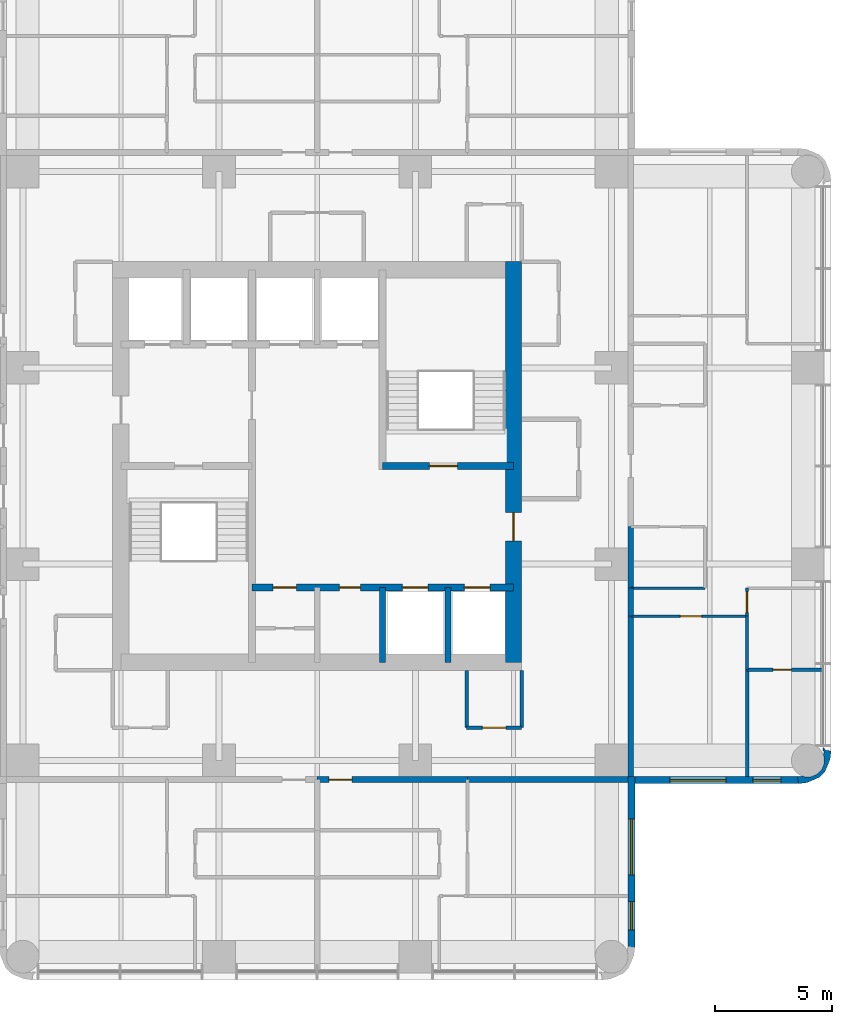
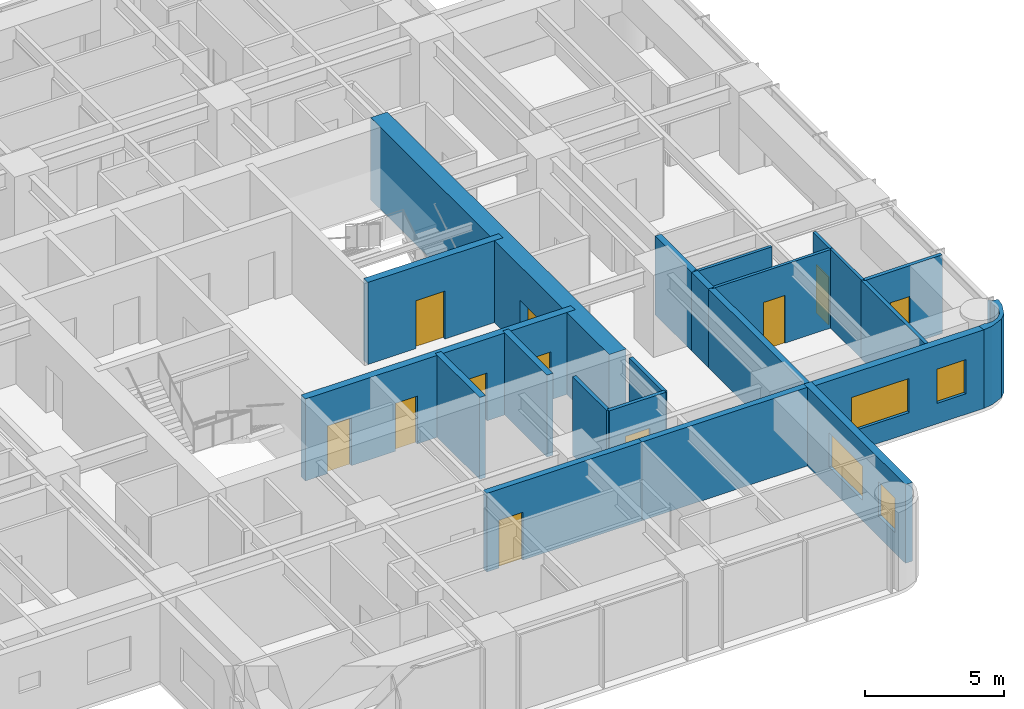
# One storey, part 7 of 11: 22 walls, 11 doors, 4 windows, 15 openings.
"""IFC4 building model written with IfcOpenShell, lengths in metres."""

import ifcopenshell
import ifcopenshell.guid

model = None  # the IFC model being written
_history = None  # IfcOwnerHistory: only IFC2X3 demands one
_inside = {}  # id of a spatial element -> (the spatial element, [elements in it])
_under = {}  # id of a project, library or spatial element -> (it, [spatial elements below it])
_declared = {}  # id of a project -> (the project, [libraries it declares])
_typed = {}  # id of a type object -> (the type object, [elements of that type])
_made_of = {}  # id of a material, layer set ... -> (it, [elements and type objects made of it])


def new_model(schema):
    """Start an empty IFC model of exactly this schema.

    Asked for "IFC4X3", IfcOpenShell would pick the latest addendum, in which some entities
    have other attributes; the version numbers below select the first issue.
    IFC2X3 requires an IfcOwnerHistory on every rooted entity: one is made here for all.
    """
    global model, _history
    if schema == "IFC4X3":
        model = ifcopenshell.file(schema_version=(4, 3, 0, 0))
    else:
        model = ifcopenshell.file(schema=schema)
    _inside.clear()
    _under.clear()
    _declared.clear()
    _typed.clear()
    _made_of.clear()
    _history = None
    if model.schema == "IFC2X3":
        org = make("IfcOrganization", Name="unknown")
        user = make(
            "IfcPersonAndOrganization",
            ThePerson=make("IfcPerson", FamilyName="unknown"),
            TheOrganization=org,
        )
        app = make(
            "IfcApplication",
            ApplicationDeveloper=org,
            Version="unknown",
            ApplicationFullName="unknown",
            ApplicationIdentifier="unknown",
        )
        _history = make(
            "IfcOwnerHistory",
            OwningUser=user,
            OwningApplication=app,
            ChangeAction="ADDED",
            CreationDate=0,
        )
    return model


def make(cls, **values):
    """One entity of the class cls with the attributes given. An attribute that is None is left unset."""
    return model.create_entity(
        cls, **{name: value for name, value in values.items() if value is not None}
    )


def rooted(cls, **values):
    """An entity with a GlobalId (a new one), such as an element, a storey or a relation."""
    return make(cls, GlobalId=ifcopenshell.guid.new(), OwnerHistory=_history, **values)


def si_unit(unit_type, name, prefix=None):
    """IfcSIUnit, for example si_unit("LENGTHUNIT", "METRE", prefix="MILLI")."""
    return make("IfcSIUnit", UnitType=unit_type, Prefix=prefix, Name=name)


def assignment(units):
    """IfcUnitAssignment: the units of a project."""
    return None if units is None else make("IfcUnitAssignment", Units=units)


def point(xyz):
    """IfcCartesianPoint."""
    return None if xyz is None else make("IfcCartesianPoint", Coordinates=xyz)


def direction(xyz):
    """IfcDirection."""
    return None if xyz is None else make("IfcDirection", DirectionRatios=xyz)


def frame(location, z_axis=None, x_axis=None):
    """IfcAxis2Placement3D, a coordinate frame: its origin and axes. An axis left out is left unset."""
    return make(
        "IfcAxis2Placement3D",
        Location=point(location),
        Axis=direction(z_axis),
        RefDirection=direction(x_axis),
    )


def frame_2d(location, x_axis=None):
    """IfcAxis2Placement2D, a coordinate frame in the plane: its origin and x axis."""
    return make(
        "IfcAxis2Placement2D", Location=point(location), RefDirection=direction(x_axis)
    )


def origin():
    """The frame at (0, 0, 0) with its axes left unset."""
    return frame((0.0, 0.0, 0.0))


def place(relative_to, where):
    """IfcLocalPlacement: puts the frame where relative to a parent placement (None: the world)."""
    return make(
        "IfcLocalPlacement", PlacementRelTo=relative_to, RelativePlacement=where
    )


def context(
    kind, dimensions, precision=None, world=None, true_north=None, identifier=None
):
    """IfcGeometricRepresentationContext, for example the 3D "Model" context."""
    return make(
        "IfcGeometricRepresentationContext",
        ContextIdentifier=identifier,
        ContextType=kind,
        CoordinateSpaceDimension=dimensions,
        Precision=precision,
        WorldCoordinateSystem=world,
        TrueNorth=true_north,
    )


def subcontext(parent, identifier, kind, view, scale=None):
    """IfcGeometricRepresentationSubContext, for example "Body" below "Model"."""
    return make(
        "IfcGeometricRepresentationSubContext",
        ContextIdentifier=identifier,
        ContextType=kind,
        ParentContext=parent,
        TargetScale=scale,
        TargetView=view,
    )


def project(units=None, contexts=None):
    """IfcProject with its units and contexts."""
    return rooted(
        "IfcProject",
        Name="project",
        RepresentationContexts=contexts,
        UnitsInContext=assignment(units),
    )


def spatial(cls, under=None, at=None, **own):
    """A site, building, storey or space (cls), placed at a placement, below another one or the project."""
    s = rooted(cls, ObjectPlacement=at, **own)
    if under is not None:
        _under.setdefault(under.id(), (under, []))[1].append(s)
    return s


def polyline(points):
    """IfcPolyline through the points."""
    return make("IfcPolyline", Points=[point(p) for p in points])


def profile(cls, at=None, kind="AREA", **sizes):
    """A parametric profile (cls). Its sizes go by their IFC names, for example OverallWidth=200.0."""
    return make(cls, ProfileType=kind, Position=at, **sizes)


def rectangle(**sizes):
    """IfcRectangleProfileDef."""
    return profile("IfcRectangleProfileDef", **sizes)


def outline(outer, holes=None, kind="AREA"):
    """IfcArbitraryClosedProfileDef: a profile drawn as a closed curve; with holes, ...WithVoids."""
    if holes is None:
        return make("IfcArbitraryClosedProfileDef", ProfileType=kind, OuterCurve=outer)
    return make(
        "IfcArbitraryProfileDefWithVoids",
        ProfileType=kind,
        OuterCurve=outer,
        InnerCurves=holes,
    )


def extrude(swept, where, along, depth):
    """IfcExtrudedAreaSolid: the profile swept, set in the frame where, extruded along a direction by depth."""
    return make(
        "IfcExtrudedAreaSolid",
        SweptArea=swept,
        Position=where,
        ExtrudedDirection=direction(along),
        Depth=depth,
    )


def shape(context_of_items, identifier, shape_type, items):
    """IfcShapeRepresentation: the items that make up one representation, for example the "Body"."""
    return make(
        "IfcShapeRepresentation",
        ContextOfItems=context_of_items,
        RepresentationIdentifier=identifier,
        RepresentationType=shape_type,
        Items=items,
    )


def material(Name=None, Category=None):
    """IfcMaterial."""
    return make("IfcMaterial", Name=Name, Category=Category)


def layer(
    of_material, thickness, ventilated=None, Name=None, Category=None, Priority=None
):
    """IfcMaterialLayer: one layer of a wall or slab, of a material (None: an air gap)."""
    return make(
        "IfcMaterialLayer",
        Material=of_material,
        LayerThickness=thickness,
        IsVentilated=ventilated,
        Name=Name,
        Category=Category,
        Priority=Priority,
    )


def layer_set(layers, Name=None):
    """IfcMaterialLayerSet."""
    return make("IfcMaterialLayerSet", MaterialLayers=layers, LayerSetName=Name)


def made_of(thing, what):
    """Note that an element or type object is made of a material, layer set ...; save() writes the relation."""
    if what is not None:
        _made_of.setdefault(what.id(), (what, []))[1].append(thing)
    return thing


def type_object(cls, material=None, **own):
    """A type object (cls), such as IfcWallType, which elements share."""
    return made_of(rooted(cls, **own), material)


def element(
    cls,
    number,
    at=None,
    inside=None,
    cuts=None,
    type_object=None,
    material=None,
    context=None,
    identifier="Body",
    shape_type=None,
    held_by="IfcProductDefinitionShape",
    body=None,
    shapes=None,
    **own,
):
    """One element of the class cls, such as IfcWall. Its Tag is "e" and its number.

    at: its placement. inside: the storey or other place that contains it. cuts: it is an
    opening in that element (IfcRelVoidsElement). A single representation is given by context,
    identifier, shape_type and body (its items); several are given by shapes. held_by: the class
    of the entity that holds the representations. save() writes the other relations.
    """
    e = rooted(cls, Tag="e%d" % number, ObjectPlacement=at, **own)
    if body is not None:
        shapes = [shape(context, identifier, shape_type, body)]
    if shapes is not None:
        e.Representation = make(held_by, Representations=shapes)
    if inside is not None:
        _inside.setdefault(inside.id(), (inside, []))[1].append(e)
    if cuts is not None:
        rooted(
            "IfcRelVoidsElement", RelatingBuildingElement=cuts, RelatedOpeningElement=e
        )
    if type_object is not None:
        _typed.setdefault(type_object.id(), (type_object, []))[1].append(e)
    return made_of(e, material)


def fill(opening, filler):
    """IfcRelFillsElement: the door or window that sits in an opening."""
    return rooted(
        "IfcRelFillsElement",
        RelatingOpeningElement=opening,
        RelatedBuildingElement=filler,
    )


def aggregate(whole, parts):
    """IfcRelAggregates: a whole, such as a stair, and the parts it consists of."""
    return rooted("IfcRelAggregates", RelatingObject=whole, RelatedObjects=parts)


def save(model, path):
    """Write the relations noted so far, then the file.

    IfcRelAggregates (storeys below a building ...), IfcRelContainedInSpatialStructure (elements
    in a storey), IfcRelDefinesByType, IfcRelAssociatesMaterial and IfcRelDeclares: one each for
    every whole, place, type object, material and project.
    """
    for whole, parts in _under.values():
        aggregate(whole, parts)
    for where, things in _inside.values():
        rooted(
            "IfcRelContainedInSpatialStructure",
            RelatedElements=things,
            RelatingStructure=where,
        )
    for kind, things in _typed.values():
        rooted("IfcRelDefinesByType", RelatedObjects=things, RelatingType=kind)
    for what, things in _made_of.values():
        rooted("IfcRelAssociatesMaterial", RelatedObjects=things, RelatingMaterial=what)
    for by, libraries in _declared.values():
        rooted("IfcRelDeclares", RelatingContext=by, RelatedDefinitions=libraries)
    model.write(path)


model = new_model("IFC4")

# Units and contexts
model_context = context("Model", 3, precision=1e-05, world=origin(), true_north=direction((0.0, 1.0)))
body_context = subcontext(model_context, "Body", "Model", "MODEL_VIEW")
ifc_project = project(units=[si_unit("LENGTHUNIT", "METRE"), si_unit("AREAUNIT", "SQUARE_METRE"), si_unit("VOLUMEUNIT", "CUBIC_METRE"), si_unit("PLANEANGLEUNIT", "RADIAN"), si_unit("MASSUNIT", "GRAM", prefix="KILO")], contexts=[model_context])

# Site, building, storey
site_placement = place(None, origin())
site = spatial("IfcSite", under=ifc_project, at=site_placement, CompositionType="ELEMENT")
building_placement = place(site_placement, origin())
building = spatial("IfcBuilding", under=site, at=building_placement, Name="Torre Alcanfor", CompositionType="ELEMENT")
storey_placement = place(building_placement, frame((0.0, 0.0, 215.699951171875)))
storey = spatial("IfcBuildingStorey", under=building, at=storey_placement, Name="L56", CompositionType="ELEMENT", Elevation=215.699951171875)

# Walls
ifc_material_1 = material(Name="Concrete block masonry, hollow blocks NMX-C-404 9 MPa", Category="masonry")
ifc_layer_1 = layer(ifc_material_1, 0.25)
ifc_layer_set_1 = layer_set([ifc_layer_1], Name="Apartment entrance wall 250 EI 60")
wall_type_1 = type_object("IfcWallType", Name="Apartment entrance wall 250 EI 60", PredefinedType="PARTITIONING", material=ifc_layer_set_1)
wall_1_placement = place(storey_placement, frame((42.824951171875, 26.800048828125, 0.0), z_axis=(0.0, 0.0, 1.0), x_axis=(0.0, -1.0, 0.0)))
element("IfcWall", 1, at=wall_1_placement, inside=storey, type_object=wall_type_1, Name="Partition L56-CORR / L56-EX-KITCHEN", PredefinedType="PARTITIONING", context=body_context, shape_type="SweptSolid", body=[
    extrude(rectangle(XDim=2.629150390625, YDim=0.25, at=frame_2d((1.314453125, 0.0))), origin(), (0.0, 0.0, 1.0), 3.449951171875),
])
wall_2_placement = place(storey_placement, frame((42.824951171875, 24.1708984375, 0.0), z_axis=(0.0, 0.0, 1.0), x_axis=(0.0, -1.0, 0.0)))
element("IfcWall", 2, at=wall_2_placement, inside=storey, type_object=wall_type_1, Name="Partition L56-CORR / L56-EX-LIVING", PredefinedType="PARTITIONING", context=body_context, shape_type="SweptSolid", body=[
    extrude(rectangle(XDim=1.199951171875, YDim=0.25, at=frame_2d((0.60009765625, 0.0))), origin(), (0.0, 0.0, 1.0), 3.449951171875),
])
wall_3_placement = place(storey_placement, frame((42.824951171875, 22.970947265625, 0.0), z_axis=(0.0, 0.0, 1.0), x_axis=(0.0, -1.0, 0.0)))
element("IfcWall", 3, at=wall_3_placement, inside=storey, type_object=wall_type_1, Name="Partition L56-CORR / L56-EX-BED3", PredefinedType="PARTITIONING", context=body_context, shape_type="SweptSolid", body=[
    extrude(rectangle(XDim=6.870849609375, YDim=0.25, at=frame_2d((3.435546875, 0.0))), origin(), (0.0, 0.0, 1.0), 3.449951171875),
])

# Wall, opening, door
wall_4_placement = place(storey_placement, frame((35.8291015625, 15.97509765625, 0.0), z_axis=(0.0, 0.0, 1.0), x_axis=(-1.0, 0.0, 0.0)))
wall_4 = element("IfcWall", 4, at=wall_4_placement, inside=storey, type_object=wall_type_1, Name="Partition L56-CORR / L56-S1-LIVING", PredefinedType="PARTITIONING", context=body_context, shape_type="SweptSolid", body=[
    extrude(rectangle(XDim=6.42919921875, YDim=0.25, at=frame_2d((3.214599609375, 0.0))), origin(), (0.0, 0.0, 1.0), 3.449951171875),
])
opening_1_placement = place(wall_4_placement, frame((4.928955078125, 0.0, 0.0)))
opening_1 = element("IfcOpeningElement", 5, at=opening_1_placement, cuts=wall_4, Name="Opening D-A1", PredefinedType="OPENING", context=body_context, shape_type="SweptSolid", body=[
    extrude(rectangle(XDim=1.0, YDim=2.10009765625, at=frame_2d((0.5, 1.050048828125))), frame((0.0, 0.135009765625, 0.0), z_axis=(0.0, -1.0, 0.0), x_axis=(1.0, 0.0, 0.0)), (0.0, 0.0, 1.0), 0.27001953125),
])
ifc_material_2 = material(Name="Galvanised steel sheet ASTM A653", Category="steel")
door_type_1 = type_object("IfcDoorType", Name="Apartment entrance door FD60 1000x2100", OperationType="SINGLE_SWING_LEFT", PredefinedType="DOOR", material=ifc_material_2)
door_1_placement = place(opening_1_placement, origin())
door_1 = element("IfcDoor", 6, at=door_1_placement, inside=storey, type_object=door_type_1, Name="Apartment entrance L56-S1", OperationType="SINGLE_SWING_RIGHT", OverallHeight=2.10009765625, OverallWidth=1.0, PredefinedType="DOOR", context=body_context, shape_type="SweptSolid", body=[
    extrude(rectangle(XDim=1.0, YDim=2.10009765625, at=frame_2d((0.5, 1.050048828125))), frame((0.0, 0.02490234375, 0.0), z_axis=(0.0, -1.0, 0.0), x_axis=(1.0, 0.0, 0.0)), (0.0, 0.0, 1.0), 0.050048828125),
])
fill(opening_1, door_1)

# Walls
wall_5_placement = place(storey_placement, frame((42.699951171875, 15.97509765625, 0.0), z_axis=(0.0, 0.0, 1.0), x_axis=(-1.0, 0.0, 0.0)))
element("IfcWall", 7, at=wall_5_placement, inside=storey, type_object=wall_type_1, Name="Partition L56-CORR / L56-S1-BED2", PredefinedType="PARTITIONING", context=body_context, shape_type="SweptSolid", body=[
    extrude(rectangle(XDim=6.870849609375, YDim=0.25, at=frame_2d((3.435546875, 0.0))), origin(), (0.0, 0.0, 1.0), 3.449951171875),
])
ifc_material_3 = material(Name="Gypsum board on steel studs", Category="steel")
ifc_layer_2 = layer(ifc_material_3, 0.1201171875)
ifc_layer_set_2 = layer_set([ifc_layer_2], Name="Apartment partition 120")
wall_type_2 = type_object("IfcWallType", Name="Apartment partition 120", PredefinedType="PARTITIONING", material=ifc_layer_set_2)
wall_6_placement = place(storey_placement, frame((42.824951171875, 24.1708984375, 0.0), z_axis=(0.0, 0.0, 1.0), x_axis=(1.0, 0.0, 0.0)))
element("IfcWall", 8, at=wall_6_placement, inside=storey, type_object=wall_type_2, Name="Partition L56-EX-KITCHEN / L56-EX-LIVING", PredefinedType="PARTITIONING", context=body_context, shape_type="SweptSolid", body=[
    extrude(rectangle(XDim=3.175048828125, YDim=0.1201171875, at=frame_2d((1.58740234375, 0.0))), origin(), (0.0, 0.0, 1.0), 3.449951171875),
])

# Wall, opening, door
wall_7_placement = place(storey_placement, frame((47.800048828125, 22.970947265625, 0.0), z_axis=(0.0, 0.0, 1.0), x_axis=(-1.0, 0.0, 0.0)))
wall_7 = element("IfcWall", 9, at=wall_7_placement, inside=storey, type_object=wall_type_2, Name="Partition L56-EX-LIVING / L56-EX-BED3", PredefinedType="PARTITIONING", context=body_context, shape_type="SweptSolid", body=[
    extrude(rectangle(XDim=4.97509765625, YDim=0.1201171875, at=frame_2d((2.487548828125, 0.0))), origin(), (0.0, 0.0, 1.0), 3.449951171875),
])
opening_2_placement = place(wall_7_placement, frame((1.949951171875, 0.0, 0.0)))
opening_2 = element("IfcOpeningElement", 10, at=opening_2_placement, cuts=wall_7, Name="Opening D-R1", PredefinedType="OPENING", context=body_context, shape_type="SweptSolid", body=[
    extrude(rectangle(XDim=0.89990234375, YDim=2.10009765625, at=frame_2d((0.449951171875, 1.050048828125))), frame((0.0, 0.070068359375, 0.0), z_axis=(0.0, -1.0, 0.0), x_axis=(1.0, 0.0, 0.0)), (0.0, 0.0, 1.0), 0.14013671875),
])
ifc_material_4 = material(Name="Timber", Category="wood")
door_type_2 = type_object("IfcDoorType", Name="Internal door 900x2100", OperationType="SINGLE_SWING_LEFT", PredefinedType="DOOR", material=ifc_material_4)
door_2_placement = place(opening_2_placement, origin())
door_2 = element("IfcDoor", 11, at=door_2_placement, inside=storey, type_object=door_type_2, Name="Door L56-EX bed3", OperationType="SINGLE_SWING_LEFT", OverallHeight=2.10009765625, OverallWidth=0.89990234375, PredefinedType="DOOR", context=body_context, shape_type="SweptSolid", body=[
    extrude(rectangle(XDim=0.89990234375, YDim=2.10009765625, at=frame_2d((0.449951171875, 1.050048828125))), frame((0.0, 0.02490234375, 0.0), z_axis=(0.0, -1.0, 0.0), x_axis=(1.0, 0.0, 0.0)), (0.0, 0.0, 1.0), 0.050048828125),
])
fill(opening_2, door_2)

wall_8_placement = place(storey_placement, frame((47.800048828125, 24.1708984375, 0.0), z_axis=(0.0, 0.0, 1.0), x_axis=(0.0, -1.0, 0.0)))
wall_8 = element("IfcWall", 12, at=wall_8_placement, inside=storey, type_object=wall_type_2, Name="Partition L56-EX-LIVING / L56-EX-BED1", PredefinedType="PARTITIONING", context=body_context, shape_type="SweptSolid", body=[
    extrude(rectangle(XDim=1.199951171875, YDim=0.1201171875, at=frame_2d((0.60009765625, 0.0))), origin(), (0.0, 0.0, 1.0), 3.449951171875),
])
opening_3_placement = place(wall_8_placement, frame((0.15087890625, 0.0, 0.0)))
opening_3 = element("IfcOpeningElement", 13, at=opening_3_placement, cuts=wall_8, Name="Opening D-R1", PredefinedType="OPENING", context=body_context, shape_type="SweptSolid", body=[
    extrude(rectangle(XDim=0.89990234375, YDim=2.10009765625, at=frame_2d((0.449951171875, 1.050048828125))), frame((0.0, 0.070068359375, 0.0), z_axis=(0.0, -1.0, 0.0), x_axis=(1.0, 0.0, 0.0)), (0.0, 0.0, 1.0), 0.14013671875),
])
door_3_placement = place(opening_3_placement, origin())
door_3 = element("IfcDoor", 14, at=door_3_placement, inside=storey, type_object=door_type_2, Name="Door L56-EX bed1", OperationType="SINGLE_SWING_LEFT", OverallHeight=2.10009765625, OverallWidth=0.89990234375, PredefinedType="DOOR", context=body_context, shape_type="SweptSolid", body=[
    extrude(rectangle(XDim=0.89990234375, YDim=2.10009765625, at=frame_2d((0.449951171875, 1.050048828125))), frame((0.0, 0.02490234375, 0.0), z_axis=(0.0, -1.0, 0.0), x_axis=(1.0, 0.0, 0.0)), (0.0, 0.0, 1.0), 0.050048828125),
])
fill(opening_3, door_3)

# Wall
wall_9_placement = place(storey_placement, frame((47.800048828125, 20.68603515625, 0.0), z_axis=(0.0, 0.0, 1.0), x_axis=(0.0, 1.0, 0.0)))
element("IfcWall", 15, at=wall_9_placement, inside=storey, type_object=wall_type_2, Name="Partition L56-EX-BED3 / L56-EX-BED1", PredefinedType="PARTITIONING", context=body_context, shape_type="SweptSolid", body=[
    extrude(rectangle(XDim=2.284912109375, YDim=0.1201171875, at=frame_2d((1.142578125, 0.0))), origin(), (0.0, 0.0, 1.0), 3.449951171875),
])

# Wall, openings, doors
ifc_material_5 = material(Name="Concrete f'c 70 MPa", Category="concrete")
ifc_layer_3 = layer(ifc_material_5, 0.300048828125)
ifc_layer_set_3 = layer_set([ifc_layer_3], Name="Core inner wall 300 f'c70")
wall_type_3 = type_object("IfcWallType", Name="Core inner wall 300 f'c70", PredefinedType="SHEAR", material=ifc_layer_set_3)
wall_10_placement = place(storey_placement, frame((26.60009765625, 24.199951171875, 0.0), z_axis=(0.0, 0.0, 1.0), x_axis=(1.0, 0.0, 0.0)))
wall_10 = element("IfcWall", 16, at=wall_10_placement, inside=storey, type_object=wall_type_3, Name="Core wall Y242 L56", PredefinedType="SHEAR", context=body_context, shape_type="SweptSolid", body=[
    extrude(rectangle(XDim=11.199951171875, YDim=0.300048828125, at=frame_2d((5.60009765625, 0.0))), origin(), (0.0, 0.0, 1.0), 3.60009765625),
])
opening_4_placement = place(wall_10_placement, frame((0.91259765625, 0.0, 0.0)))
opening_4 = element("IfcOpeningElement", 17, at=opening_4_placement, cuts=wall_10, Name="Opening D-K1", PredefinedType="OPENING", context=body_context, shape_type="SweptSolid", body=[
    extrude(rectangle(XDim=1.0, YDim=2.10009765625, at=frame_2d((0.5, 1.050048828125))), frame((0.0, 0.159912109375, 0.0), z_axis=(0.0, -1.0, 0.0), x_axis=(1.0, 0.0, 0.0)), (0.0, 0.0, 1.0), 0.320068359375),
])
opening_5_placement = place(wall_10_placement, frame((3.75, 0.0, 0.0)))
opening_5 = element("IfcOpeningElement", 18, at=opening_5_placement, cuts=wall_10, Name="Opening D-Q1", PredefinedType="OPENING", context=body_context, shape_type="SweptSolid", body=[
    extrude(rectangle(XDim=0.89990234375, YDim=2.10009765625, at=frame_2d((0.449951171875, 1.050048828125))), frame((0.0, 0.159912109375, 0.0), z_axis=(0.0, -1.0, 0.0), x_axis=(1.0, 0.0, 0.0)), (0.0, 0.0, 1.0), 0.320068359375),
])
opening_6_placement = place(wall_10_placement, frame((6.449951171875, 0.0, 0.0)))
opening_6 = element("IfcOpeningElement", 19, at=opening_6_placement, cuts=wall_10, Name="Opening LD1", PredefinedType="OPENING", context=body_context, shape_type="SweptSolid", body=[
    extrude(rectangle(XDim=1.10009765625, YDim=2.10009765625, at=frame_2d((0.550048828125, 1.050048828125))), frame((0.0, 0.159912109375, 0.0), z_axis=(0.0, -1.0, 0.0), x_axis=(1.0, 0.0, 0.0)), (0.0, 0.0, 1.0), 0.320068359375),
])
opening_7_placement = place(wall_10_placement, frame((9.10009765625, 0.0, 0.0)))
opening_7 = element("IfcOpeningElement", 20, at=opening_7_placement, cuts=wall_10, Name="Opening LD1", PredefinedType="OPENING", context=body_context, shape_type="SweptSolid", body=[
    extrude(rectangle(XDim=1.10009765625, YDim=2.10009765625, at=frame_2d((0.550048828125, 1.050048828125))), frame((0.0, 0.159912109375, 0.0), z_axis=(0.0, -1.0, 0.0), x_axis=(1.0, 0.0, 0.0)), (0.0, 0.0, 1.0), 0.320068359375),
])
ifc_material_6 = material(Name="Galvanised steel sheet ASTM A653", Category="steel")
door_type_3 = type_object("IfcDoorType", Name="Core room door FD60 1000x2100", OperationType="SINGLE_SWING_LEFT", PredefinedType="DOOR", material=ifc_material_6)
door_4_placement = place(opening_4_placement, frame((1.0, 0.0, 0.0), z_axis=(0.0, 0.0, 1.0), x_axis=(-1.0, 0.0, 0.0)))
door_4 = element("IfcDoor", 21, at=door_4_placement, inside=storey, type_object=door_type_3, Name="Cleaners' store door L56", OperationType="SINGLE_SWING_RIGHT", OverallHeight=2.10009765625, OverallWidth=1.0, PredefinedType="DOOR", context=body_context, shape_type="SweptSolid", body=[
    extrude(rectangle(XDim=1.0, YDim=2.10009765625, at=frame_2d((0.5, 1.050048828125))), frame((0.0, 0.025146484375, 0.0), z_axis=(0.0, -1.0, 0.0), x_axis=(1.0, 0.0, 0.0)), (0.0, 0.0, 1.0), 0.050048828125),
])
fill(opening_4, door_4)
ifc_material_7 = material(Name="Galvanised steel sheet ASTM A653", Category="steel")
door_type_4 = type_object("IfcDoorType", Name="Lift landing door 1100x2100", OperationType="DOUBLE_DOOR_SLIDING", PredefinedType="DOOR", material=ifc_material_7)
door_5_placement = place(opening_6_placement, origin())
door_5 = element("IfcDoor", 22, at=door_5_placement, inside=storey, type_object=door_type_4, Name="Lift landing door PA3 L56", OperationType="DOUBLE_DOOR_SLIDING", OverallHeight=2.10009765625, OverallWidth=1.10009765625, PredefinedType="DOOR", context=body_context, shape_type="SweptSolid", body=[
    extrude(rectangle(XDim=1.10009765625, YDim=2.10009765625, at=frame_2d((0.550048828125, 1.050048828125))), frame((0.0, 0.02490234375, 0.0), z_axis=(0.0, -1.0, 0.0), x_axis=(1.0, 0.0, 0.0)), (0.0, 0.0, 1.0), 0.050048828125),
])
fill(opening_6, door_5)
door_6_placement = place(opening_7_placement, origin())
door_6 = element("IfcDoor", 23, at=door_6_placement, inside=storey, type_object=door_type_4, Name="Lift landing door PA4 L56", OperationType="DOUBLE_DOOR_SLIDING", OverallHeight=2.10009765625, OverallWidth=1.10009765625, PredefinedType="DOOR", context=body_context, shape_type="SweptSolid", body=[
    extrude(rectangle(XDim=1.10009765625, YDim=2.10009765625, at=frame_2d((0.550048828125, 1.050048828125))), frame((0.0, 0.02490234375, 0.0), z_axis=(0.0, -1.0, 0.0), x_axis=(1.0, 0.0, 0.0)), (0.0, 0.0, 1.0), 0.050048828125),
])
fill(opening_7, door_6)
ifc_material_8 = material(Name="Galvanised steel sheet ASTM A653", Category="steel")
door_type_5 = type_object("IfcDoorType", Name="Riser access door FD120 900x2100", OperationType="SINGLE_SWING_LEFT", PredefinedType="DOOR", material=ifc_material_8)
door_7_placement = place(opening_5_placement, frame((0.89990234375, 0.0, 0.0), z_axis=(0.0, 0.0, 1.0), x_axis=(-1.0, 0.0, 0.0)))
door_7 = element("IfcDoor", 24, at=door_7_placement, inside=storey, type_object=door_type_5, Name="Riser door L56", OperationType="SINGLE_SWING_RIGHT", OverallHeight=2.10009765625, OverallWidth=0.89990234375, PredefinedType="DOOR", context=body_context, shape_type="SweptSolid", body=[
    extrude(rectangle(XDim=0.89990234375, YDim=2.10009765625, at=frame_2d((0.449951171875, 1.050048828125))), frame((0.0, 0.025146484375, 0.0), z_axis=(0.0, -1.0, 0.0), x_axis=(1.0, 0.0, 0.0)), (0.0, 0.0, 1.0), 0.050048828125),
])
fill(opening_5, door_7)

# Wall, opening, door
wall_11_placement = place(storey_placement, frame((32.199951171875, 29.39990234375, 0.0), z_axis=(0.0, 0.0, 1.0), x_axis=(1.0, 0.0, 0.0)))
wall_11 = element("IfcWall", 25, at=wall_11_placement, inside=storey, type_object=wall_type_3, Name="Core wall Y294E L56", PredefinedType="SHEAR", context=body_context, shape_type="SweptSolid", body=[
    extrude(rectangle(XDim=5.60009765625, YDim=0.300048828125, at=frame_2d((2.800048828125, 0.0))), origin(), (0.0, 0.0, 1.0), 3.60009765625),
])
opening_8_placement = place(wall_11_placement, frame((2.0, 0.0, 0.0)))
opening_8 = element("IfcOpeningElement", 26, at=opening_8_placement, cuts=wall_11, Name="Opening D-S2", PredefinedType="OPENING", context=body_context, shape_type="SweptSolid", body=[
    extrude(rectangle(XDim=1.199951171875, YDim=2.10009765625, at=frame_2d((0.60009765625, 1.050048828125))), frame((0.0, 0.159912109375, 0.0), z_axis=(0.0, -1.0, 0.0), x_axis=(1.0, 0.0, 0.0)), (0.0, 0.0, 1.0), 0.320068359375),
])
ifc_material_9 = material(Name="Galvanised steel sheet ASTM A653", Category="steel")
door_type_6 = type_object("IfcDoorType", Name="Stair enclosure door FD120 1200x2100", OperationType="SINGLE_SWING_LEFT", PredefinedType="DOOR", material=ifc_material_9)
door_8_placement = place(opening_8_placement, origin())
door_8 = element("IfcDoor", 27, at=door_8_placement, inside=storey, type_object=door_type_6, Name="Stair S2 door L56", OperationType="SINGLE_SWING_LEFT", OverallHeight=2.10009765625, OverallWidth=1.199951171875, PredefinedType="DOOR", context=body_context, shape_type="SweptSolid", body=[
    extrude(rectangle(XDim=1.199951171875, YDim=2.10009765625, at=frame_2d((0.60009765625, 1.050048828125))), frame((0.0, 0.02490234375, 0.0), z_axis=(0.0, -1.0, 0.0), x_axis=(1.0, 0.0, 0.0)), (0.0, 0.0, 1.0), 0.050048828125),
])
fill(opening_8, door_8)

# Walls
ifc_material_10 = material(Name="Concrete f'c 70 MPa", Category="concrete")
ifc_layer_4 = layer(ifc_material_10, 0.25)
ifc_layer_set_4 = layer_set([ifc_layer_4], Name="Core shaft wall 250 f'c70")
wall_type_4 = type_object("IfcWallType", Name="Core shaft wall 250 f'c70", PredefinedType="SHEAR", material=ifc_layer_set_4)
for number, where, z_axis, x_axis, name in (
    (28, (32.199951171875, 21.0, 0.0), (0.0, 0.0, 1.0), (0.0, 1.0, 0.0), "Core wall X322S L56"),
    (29, (35.0, 21.0, 0.0), (0.0, 0.0, 1.0), (0.0, 1.0, 0.0), "Core wall X350S L56"),
):
    element("IfcWall", number, at=place(storey_placement, frame(where, z_axis=z_axis, x_axis=x_axis)), inside=storey, type_object=wall_type_4, Name=name, PredefinedType="SHEAR", context=body_context, shape_type="SweptSolid", body=[
        extrude(rectangle(XDim=3.199951171875, YDim=0.25, at=frame_2d((1.60009765625, 0.0))), origin(), (0.0, 0.0, 1.0), 3.60009765625),
    ])

# Wall, opening, door
ifc_material_11 = material(Name="Concrete f'c 70 MPa", Category="concrete")
ifc_layer_5 = layer(ifc_material_11, 0.699951171875)
ifc_layer_set_5 = layer_set([ifc_layer_5], Name="Core wall 700 f'c70")
wall_type_5 = type_object("IfcWallType", Name="Core wall 700 f'c70", PredefinedType="SHEAR", material=ifc_layer_set_5)
wall_12_placement = place(storey_placement, frame((37.800048828125, 21.0, 0.0), z_axis=(0.0, 0.0, 1.0), x_axis=(0.0, 1.0, 0.0)))
wall_12 = element("IfcWall", 30, at=wall_12_placement, inside=storey, type_object=wall_type_5, Name="Core wall OUT-E L56", PredefinedType="SHEAR", context=body_context, shape_type="SweptSolid", body=[
    extrude(rectangle(XDim=17.14990234375, YDim=0.699951171875, at=frame_2d((8.574951171875, 0.0))), origin(), (0.0, 0.0, 1.0), 3.60009765625),
])
opening_9_placement = place(wall_12_placement, frame((5.199951171875, 0.0, 0.0)))
opening_9 = element("IfcOpeningElement", 31, at=opening_9_placement, cuts=wall_12, Name="Opening D-L1", PredefinedType="OPENING", context=body_context, shape_type="SweptSolid", body=[
    extrude(rectangle(XDim=1.199951171875, YDim=2.10009765625, at=frame_2d((0.60009765625, 1.050048828125))), frame((0.0, 0.35986328125, 0.0), z_axis=(0.0, -1.0, 0.0), x_axis=(1.0, 0.0, 0.0)), (0.0, 0.0, 1.0), 0.719970703125),
])
ifc_material_12 = material(Name="Galvanised steel sheet ASTM A653", Category="steel")
door_type_7 = type_object("IfcDoorType", Name="Lobby door FD120 1200x2100", OperationType="SINGLE_SWING_LEFT", PredefinedType="DOOR", material=ifc_material_12)
door_9_placement = place(opening_9_placement, origin())
door_9 = element("IfcDoor", 32, at=door_9_placement, inside=storey, type_object=door_type_7, Name="Lift lobby entrance door L56", OperationType="SINGLE_SWING_LEFT", OverallHeight=2.10009765625, OverallWidth=1.199951171875, PredefinedType="DOOR", context=body_context, shape_type="SweptSolid", body=[
    extrude(rectangle(XDim=1.199951171875, YDim=2.10009765625, at=frame_2d((0.60009765625, 1.050048828125))), frame((0.0, 0.02490234375, 0.0), z_axis=(0.0, -1.0, 0.0), x_axis=(1.0, 0.0, 0.0)), (0.0, 0.0, 1.0), 0.050048828125),
])
fill(opening_9, door_9)

# Wall, openings, windows
ifc_material_13 = material(Name="Limestone cladding", Category="masonry")
ifc_layer_6 = layer(ifc_material_13, 0.0400390625, Name="Facing")
ifc_material_14 = material(Name="Ventilated air cavity")
ifc_layer_7 = layer(ifc_material_14, 0.02001953125, ventilated=True, Name="Ventilated joint")
ifc_material_15 = material(Name="Mineral wool insulation", Category="insulation")
ifc_layer_8 = layer(ifc_material_15, 0.10009765625, Name="Insulation")
ifc_material_16 = material(Name="Concrete f'c 35 MPa", Category="concrete")
ifc_layer_9 = layer(ifc_material_16, 0.139892578125, Name="Backing")
ifc_layer_set_6 = layer_set([ifc_layer_6, ifc_layer_7, ifc_layer_8, ifc_layer_9], Name="External wall stone-clad 300")
wall_type_6 = type_object("IfcWallType", Name="External wall stone-clad 300", PredefinedType="SOLIDWALL", material=ifc_layer_set_6)
wall_13_placement = place(storey_placement, frame((42.85009765625, 8.800048828125, 0.0), z_axis=(0.0, 0.0, 1.0), x_axis=(0.0, 1.0, 0.0)))
wall_13 = element("IfcWall", 33, at=wall_13_placement, inside=storey, type_object=wall_type_6, Name="External wall L56 6", PredefinedType="SOLIDWALL", context=body_context, shape_type="SweptSolid", body=[
    extrude(rectangle(XDim=7.300048828125, YDim=0.300048828125, at=frame_2d((3.64990234375, 0.0))), origin(), (0.0, 0.0, 1.0), 3.449951171875),
])
opening_10_placement = place(wall_13_placement, frame((3.10009765625, 0.0, 0.89990234375)))
opening_10 = element("IfcOpeningElement", 34, at=opening_10_placement, cuts=wall_13, Name="Opening W1", PredefinedType="OPENING", context=body_context, shape_type="SweptSolid", body=[
    extrude(rectangle(XDim=2.39990234375, YDim=1.5, at=frame_2d((1.199951171875, 0.75))), frame((0.0, 0.159912109375, 0.0), z_axis=(0.0, -1.0, 0.0), x_axis=(1.0, 0.0, 0.0)), (0.0, 0.0, 1.0), 0.320068359375),
])
opening_11_placement = place(wall_13_placement, frame((0.75, 0.0, 0.89990234375)))
opening_11 = element("IfcOpeningElement", 35, at=opening_11_placement, cuts=wall_13, Name="Opening W4", PredefinedType="OPENING", context=body_context, shape_type="SweptSolid", body=[
    extrude(rectangle(XDim=1.199951171875, YDim=1.5, at=frame_2d((0.60009765625, 0.75))), frame((0.0, 0.159912109375, 0.0), z_axis=(0.0, -1.0, 0.0), x_axis=(1.0, 0.0, 0.0)), (0.0, 0.0, 1.0), 0.320068359375),
])
ifc_material_17 = material(Name="Aluminium frame with clear double glazing", Category="aluminium")
window_type_1 = type_object("IfcWindowType", Name="Window bedroom 1200x1500", PartitioningType="SINGLE_PANEL", PredefinedType="WINDOW", material=ifc_material_17)
window_1_placement = place(opening_11_placement, origin())
window_1 = element("IfcWindow", 36, at=window_1_placement, inside=storey, type_object=window_type_1, Name="Window W4 L56-S1", OverallHeight=1.5, OverallWidth=1.199951171875, PartitioningType="SINGLE_PANEL", PredefinedType="WINDOW", context=body_context, shape_type="SweptSolid", body=[
    extrude(rectangle(XDim=1.199951171875, YDim=1.5, at=frame_2d((0.60009765625, 0.75))), frame((0.0, 0.030029296875, 0.0), z_axis=(0.0, -1.0, 0.0), x_axis=(1.0, 0.0, 0.0)), (0.0, 0.0, 1.0), 0.06005859375),
])
fill(opening_11, window_1)
ifc_material_18 = material(Name="Aluminium frame with clear double glazing", Category="aluminium")
window_type_2 = type_object("IfcWindowType", Name="Window bedroom 2400x1500", PartitioningType="SINGLE_PANEL", PredefinedType="WINDOW", material=ifc_material_18)
window_2_placement = place(opening_10_placement, origin())
window_2 = element("IfcWindow", 37, at=window_2_placement, inside=storey, type_object=window_type_2, Name="Window W1 L56-S1", OverallHeight=1.5, OverallWidth=2.39990234375, PartitioningType="SINGLE_PANEL", PredefinedType="WINDOW", context=body_context, shape_type="SweptSolid", body=[
    extrude(rectangle(XDim=2.39990234375, YDim=1.5, at=frame_2d((1.199951171875, 0.75))), frame((0.0, 0.030029296875, 0.0), z_axis=(0.0, -1.0, 0.0), x_axis=(1.0, 0.0, 0.0)), (0.0, 0.0, 1.0), 0.06005859375),
])
fill(opening_10, window_2)

wall_14_placement = place(storey_placement, frame((43.0, 15.949951171875, 0.0), z_axis=(0.0, 0.0, 1.0), x_axis=(1.0, 0.0, 0.0)))
wall_14 = element("IfcWall", 38, at=wall_14_placement, inside=storey, type_object=wall_type_6, Name="External wall L56 7", PredefinedType="SOLIDWALL", context=body_context, shape_type="SweptSolid", body=[
    extrude(rectangle(XDim=7.0, YDim=0.300048828125, at=frame_2d((3.5, 0.0))), origin(), (0.0, 0.0, 1.0), 3.449951171875),
])
opening_12_placement = place(wall_14_placement, frame((1.5, 0.0, 0.89990234375)))
opening_12 = element("IfcOpeningElement", 39, at=opening_12_placement, cuts=wall_14, Name="Opening W1", PredefinedType="OPENING", context=body_context, shape_type="SweptSolid", body=[
    extrude(rectangle(XDim=2.39990234375, YDim=1.5, at=frame_2d((1.199951171875, 0.75))), frame((0.0, 0.159912109375, 0.0), z_axis=(0.0, -1.0, 0.0), x_axis=(1.0, 0.0, 0.0)), (0.0, 0.0, 1.0), 0.320068359375),
])
opening_13_placement = place(wall_14_placement, frame((5.050048828125, 0.0, 0.89990234375)))
opening_13 = element("IfcOpeningElement", 40, at=opening_13_placement, cuts=wall_14, Name="Opening W4", PredefinedType="OPENING", context=body_context, shape_type="SweptSolid", body=[
    extrude(rectangle(XDim=1.199951171875, YDim=1.5, at=frame_2d((0.60009765625, 0.75))), frame((0.0, 0.159912109375, 0.0), z_axis=(0.0, -1.0, 0.0), x_axis=(1.0, 0.0, 0.0)), (0.0, 0.0, 1.0), 0.320068359375),
])
window_3_placement = place(opening_13_placement, origin())
window_3 = element("IfcWindow", 41, at=window_3_placement, inside=storey, type_object=window_type_1, Name="Window W4 L56-E2", OverallHeight=1.5, OverallWidth=1.199951171875, PartitioningType="SINGLE_PANEL", PredefinedType="WINDOW", context=body_context, shape_type="SweptSolid", body=[
    extrude(rectangle(XDim=1.199951171875, YDim=1.5, at=frame_2d((0.60009765625, 0.75))), frame((0.0, 0.030029296875, 0.0), z_axis=(0.0, -1.0, 0.0), x_axis=(1.0, 0.0, 0.0)), (0.0, 0.0, 1.0), 0.06005859375),
])
fill(opening_13, window_3)
window_4_placement = place(opening_12_placement, origin())
window_4 = element("IfcWindow", 42, at=window_4_placement, inside=storey, type_object=window_type_2, Name="Window W1 L56-E2", OverallHeight=1.5, OverallWidth=2.39990234375, PartitioningType="SINGLE_PANEL", PredefinedType="WINDOW", context=body_context, shape_type="SweptSolid", body=[
    extrude(rectangle(XDim=2.39990234375, YDim=1.5, at=frame_2d((1.199951171875, 0.75))), frame((0.0, 0.030029296875, 0.0), z_axis=(0.0, -1.0, 0.0), x_axis=(1.0, 0.0, 0.0)), (0.0, 0.0, 1.0), 0.06005859375),
])
fill(opening_12, window_4)

# Wall
ifc_material_19 = material(Name="Concrete block masonry, hollow blocks NMX-C-404 9 MPa", Category="masonry")
ifc_layer_10 = layer(ifc_material_19, 0.14990234375)
ifc_layer_set_7 = layer_set([ifc_layer_10], Name="Residents' room partition 150")
wall_type_7 = type_object("IfcWallType", Name="Residents' room partition 150", PredefinedType="PARTITIONING", material=ifc_layer_set_7)
wall_15_placement = place(storey_placement, frame((35.800048828125, 20.64990234375, 0.0), z_axis=(0.0, 0.0, 1.0), x_axis=(0.0, -1.0, 0.0)))
element("IfcWall", 43, at=wall_15_placement, inside=storey, type_object=wall_type_7, Name="Partition L56-CORR / L56-G06", PredefinedType="PARTITIONING", context=body_context, shape_type="SweptSolid", body=[
    extrude(rectangle(XDim=2.449951171875, YDim=0.14990234375, at=frame_2d((1.22509765625, 0.0))), origin(), (0.0, 0.0, 1.0), 3.449951171875),
])

# Wall, opening, door
wall_16_placement = place(storey_placement, frame((35.800048828125, 18.199951171875, 0.0), z_axis=(0.0, 0.0, 1.0), x_axis=(1.0, 0.0, 0.0)))
wall_16 = element("IfcWall", 44, at=wall_16_placement, inside=storey, type_object=wall_type_7, Name="Partition L56-CORR / L56-G06", PredefinedType="PARTITIONING", context=body_context, shape_type="SweptSolid", body=[
    extrude(rectangle(XDim=2.349853515625, YDim=0.14990234375, at=frame_2d((1.1748046875, 0.0))), origin(), (0.0, 0.0, 1.0), 3.449951171875),
])
opening_14_placement = place(wall_16_placement, frame((0.675048828125, 0.0, 0.0)))
opening_14 = element("IfcOpeningElement", 45, at=opening_14_placement, cuts=wall_16, Name="Opening D-M1", PredefinedType="OPENING", context=body_context, shape_type="SweptSolid", body=[
    extrude(rectangle(XDim=1.0, YDim=2.10009765625, at=frame_2d((0.5, 1.050048828125))), frame((0.0, 0.0849609375, 0.0), z_axis=(0.0, -1.0, 0.0), x_axis=(1.0, 0.0, 0.0)), (0.0, 0.0, 1.0), 0.169921875),
])
ifc_material_20 = material(Name="Timber", Category="wood")
door_type_8 = type_object("IfcDoorType", Name="Residents' room door 1000x2100", OperationType="SINGLE_SWING_LEFT", PredefinedType="DOOR", material=ifc_material_20)
door_10_placement = place(opening_14_placement, origin())
door_10 = element("IfcDoor", 46, at=door_10_placement, inside=storey, type_object=door_type_8, Name="Door L56-G06 parcel room", OperationType="SINGLE_SWING_LEFT", OverallHeight=2.10009765625, OverallWidth=1.0, PredefinedType="DOOR", context=body_context, shape_type="SweptSolid", body=[
    extrude(rectangle(XDim=1.0, YDim=2.10009765625, at=frame_2d((0.5, 1.050048828125))), frame((0.0, 0.02490234375, 0.0), z_axis=(0.0, -1.0, 0.0), x_axis=(1.0, 0.0, 0.0)), (0.0, 0.0, 1.0), 0.050048828125),
])
fill(opening_14, door_10)

# Walls
wall_17_placement = place(storey_placement, frame((38.14990234375, 18.199951171875, 0.0), z_axis=(0.0, 0.0, 1.0), x_axis=(0.0, 1.0, 0.0)))
element("IfcWall", 47, at=wall_17_placement, inside=storey, type_object=wall_type_7, Name="Partition L56-CORR / L56-G06", PredefinedType="PARTITIONING", context=body_context, shape_type="SweptSolid", body=[
    extrude(rectangle(XDim=2.449951171875, YDim=0.14990234375, at=frame_2d((1.22509765625, 0.0))), origin(), (0.0, 0.0, 1.0), 3.449951171875),
])
ifc_layer_11 = layer(ifc_material_13, 0.0400390625, Name="Facing")
ifc_layer_12 = layer(ifc_material_14, 0.02001953125, ventilated=True, Name="Ventilated joint")
ifc_layer_13 = layer(ifc_material_15, 0.10009765625, Name="Insulation")
ifc_layer_14 = layer(ifc_material_16, 0.139892578125, Name="Backing")
ifc_layer_set_8 = layer_set([ifc_layer_11, ifc_layer_12, ifc_layer_13, ifc_layer_14], Name="Rounded corner pier stone-clad 300")
wall_type_8 = type_object("IfcWallType", Name="Rounded corner pier stone-clad 300", PredefinedType="SOLIDWALL", material=ifc_layer_set_8)
wall_18_placement = place(storey_placement, frame((50.110315272, 16.075788181, 0.0), z_axis=(0.0, 0.0, 1.0), x_axis=(0.898030234854, -0.439933741929, 0.0)))
element("IfcWall", 48, at=wall_18_placement, inside=storey, type_object=wall_type_8, Name="Corner pier L56 17", PredefinedType="SOLIDWALL", context=body_context, shape_type="SweptSolid", body=[
    extrude(outline(polyline([(0.6635309497954787, 1.5768652207279077), (0.4261657470939745, 1.4970125439527688), (0.3820436753027886, 1.5360230024769612), (0.27620863417053443, 1.5722591508431565), (0.3493519149941243, 1.422952854472101), (0.3918855735785366, 1.4437895600224335), (0.45340193240181437, 1.2610574190776962), (0.5097761390474591, 1.211465523288862), (0.6324334469777668, 0.961086976364126), (0.6500435101724213, 0.6826272661031227), (0.5595694134864071, 0.41891221165833237), (0.3749822839006132, 0.2096814391710166), (0.12460373697587725, 0.08702413124070879), (0.0497715019894753, 0.08217265535453251), (-0.12751990672054841, -0.03540062823065235), (-0.14527880540785457, -0.04410048982640973), (0.02224059568510124, -0.2961536862237746), (0.3266570480405287, -0.09401072508638375), (0.5683303343389906, 0.18015912102175058), (0.5774346974139304, 0.19875607730145015), (0.6998664144502319, 0.3373020629515939), (0.8106998188665876, 0.6610135622172228), (0.7988778263184556, 0.8455257731096697), (0.8030824189706058, 0.8658003288507671), (0.7801681024384324, 1.230560545874389), (0.6635309497954787, 1.5768652207279077)])), origin(), (0.0, 0.0, 1.0), 3.449951171875),
])
ifc_material_21 = material(Name="Cement board on steel studs", Category="steel")
ifc_layer_15 = layer(ifc_material_21, 0.14990234375)
ifc_layer_set_9 = layer_set([ifc_layer_15], Name="Wet area partition 150")
wall_type_9 = type_object("IfcWallType", Name="Wet area partition 150", PredefinedType="PARTITIONING", material=ifc_layer_set_9)
wall_19_placement = place(storey_placement, frame((47.800048828125, 16.10009765625, 0.0), z_axis=(0.0, 0.0, 1.0), x_axis=(0.0, 1.0, 0.0)))
element("IfcWall", 49, at=wall_19_placement, inside=storey, type_object=wall_type_9, Name="Partition L56-EX-BED3 / L56-EX-BATH1", PredefinedType="PARTITIONING", context=body_context, shape_type="SweptSolid", body=[
    extrude(rectangle(XDim=4.5859375, YDim=0.14990234375, at=frame_2d((2.29296875, 0.0))), origin(), (0.0, 0.0, 1.0), 3.449951171875),
])

# Wall, opening, door
wall_20_placement = place(storey_placement, frame((51.050048828125, 20.68603515625, 0.0), z_axis=(0.0, 0.0, 1.0), x_axis=(-1.0, 0.0, 0.0)))
wall_20 = element("IfcWall", 50, at=wall_20_placement, inside=storey, type_object=wall_type_9, Name="Partition L56-EX-BATH1 / L56-EX-BED1", PredefinedType="PARTITIONING", context=body_context, shape_type="SweptSolid", body=[
    extrude(rectangle(XDim=3.25, YDim=0.14990234375, at=frame_2d((1.625, 0.0))), origin(), (0.0, 0.0, 1.0), 3.449951171875),
])
opening_15_placement = place(wall_20_placement, frame((1.35009765625, 0.0, 0.0)))
opening_15 = element("IfcOpeningElement", 51, at=opening_15_placement, cuts=wall_20, Name="Opening D-R2", PredefinedType="OPENING", context=body_context, shape_type="SweptSolid", body=[
    extrude(rectangle(XDim=0.800048828125, YDim=2.10009765625, at=frame_2d((0.39990234375, 1.050048828125))), frame((0.0, 0.0849609375, 0.0), z_axis=(0.0, -1.0, 0.0), x_axis=(1.0, 0.0, 0.0)), (0.0, 0.0, 1.0), 0.169921875),
])
ifc_material_22 = material(Name="Timber", Category="wood")
door_type_9 = type_object("IfcDoorType", Name="Bathroom door 800x2100", OperationType="SINGLE_SWING_LEFT", PredefinedType="DOOR", material=ifc_material_22)
door_11_placement = place(opening_15_placement, frame((0.800048828125, 0.0, 0.0), z_axis=(0.0, 0.0, 1.0), x_axis=(-1.0, 0.0, 0.0)))
door_11 = element("IfcDoor", 52, at=door_11_placement, inside=storey, type_object=door_type_9, Name="Door L56-EX bath1", OperationType="SINGLE_SWING_LEFT", OverallHeight=2.10009765625, OverallWidth=0.800048828125, PredefinedType="DOOR", context=body_context, shape_type="SweptSolid", body=[
    extrude(rectangle(XDim=0.800048828125, YDim=2.10009765625, at=frame_2d((0.400146484375, 1.050048828125))), frame((0.0, 0.025146484375, 0.0), z_axis=(0.0, -1.0, 0.0), x_axis=(1.0, 0.0, 0.0)), (0.0, 0.0, 1.0), 0.050048828125),
])
fill(opening_15, door_11)

save(model, "model.ifc")
